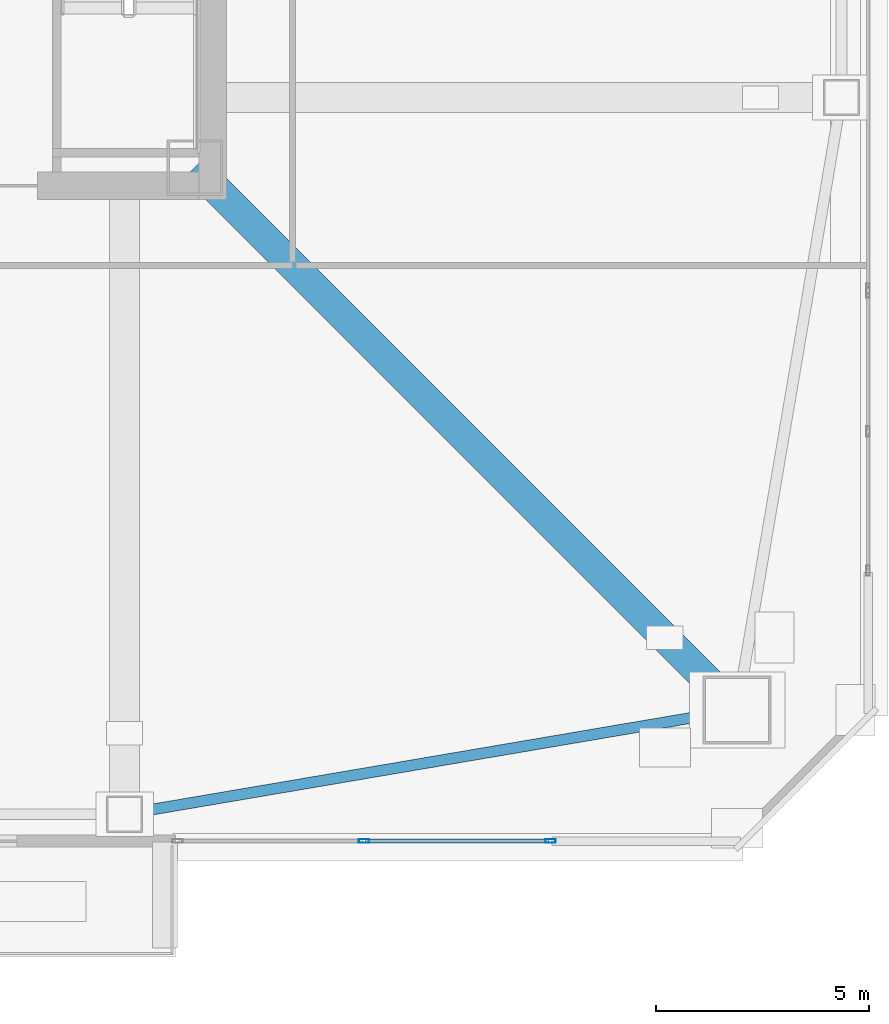
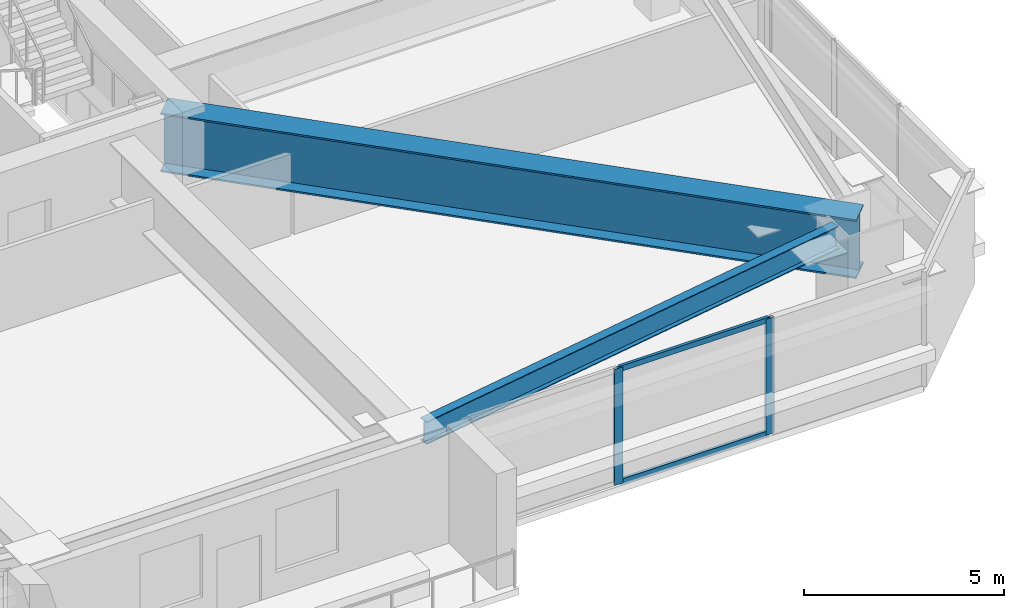
# One storey, part 9 of 48: 4 members, 2 beams, 1 element without a shape of its own.
"""IFC4 building model written with IfcOpenShell, lengths in metres."""

from ifc_helpers import new_model, si_unit, direction, frame, origin, origin_2d, place, context, subcontext, project, spatial, hollow_rectangle, i_section, extrude, material, material_profile, profile_set, type_object, element, aggregate, save


model = new_model("IFC4")

# Units and contexts
model_context = context("Model", 3, precision=1e-05, world=origin(), true_north=direction((0.0, 1.0)))
body_context = subcontext(model_context, "Body", "Model", "MODEL_VIEW")
ifc_project = project(units=[si_unit("LENGTHUNIT", "METRE"), si_unit("AREAUNIT", "SQUARE_METRE"), si_unit("VOLUMEUNIT", "CUBIC_METRE"), si_unit("PLANEANGLEUNIT", "RADIAN"), si_unit("MASSUNIT", "GRAM", prefix="KILO")], contexts=[model_context])

# Site, building, storey
site_placement = place(None, origin())
site = spatial("IfcSite", under=ifc_project, at=site_placement, CompositionType="ELEMENT")
building_placement = place(site_placement, origin())
building = spatial("IfcBuilding", under=site, at=building_placement, Name="Tashvorn Skyway Center", CompositionType="ELEMENT")
storey_placement = place(building_placement, frame((0.0, 0.0, 63.64990234375)))
storey = spatial("IfcBuildingStorey", under=building, at=storey_placement, Name="L16", CompositionType="ELEMENT", Elevation=63.64990234375)

# Beams
ifc_material_1 = material(Name="Steel ASTM A572 Grade 50", Category="steel")
ifc_material_profile_1 = material_profile(ifc_material_1, i_section(OverallWidth=0.699951171875, OverallDepth=1.800048828125, WebThickness=0.031982421875, FlangeThickness=0.050048828125, at=origin_2d()), Name="PG1800x700")
ifc_profile_set_1 = profile_set([ifc_material_profile_1], Name="Steel ASTM A572 Grade 50")
beam_type_1 = type_object("IfcBeamType", Name="BM-BEAM-PG1800x700", PredefinedType="BEAM", material=ifc_profile_set_1)
beam_1_placement = place(storey_placement, frame((61.800048828125, 12.199951171875, 2.4501953125), z_axis=(-0.707106781187, 0.707106781187, 0.0), x_axis=(-0.707106781187, -0.707106781187, 0.0)))
element("IfcBeam", 1, at=beam_1_placement, inside=storey, type_object=beam_type_1, Name="Tower 1 L16 Setback Transfer Girder MC-SE", PredefinedType="BEAM", context=body_context, shape_type="SweptSolid", body=[
    extrude(i_section(OverallWidth=0.699951171875, OverallDepth=1.800048828125, WebThickness=0.031982421875, FlangeThickness=0.050048828125, at=origin_2d()), origin(), (0.0, 0.0, 1.0), 18.03125),
])
ifc_material_2 = material(Name="Steel ASTM A992 Grade 50", Category="steel")
ifc_material_profile_2 = material_profile(ifc_material_2, i_section(OverallWidth=0.256103515625, OverallDepth=0.693115234375, WebThickness=0.014404296875, FlangeThickness=0.023681640625, at=origin_2d()), Name="W27X114")
ifc_profile_set_2 = profile_set([ifc_material_profile_2], Name="Steel ASTM A992 Grade 50")
beam_type_2 = type_object("IfcBeamType", Name="BM-SPANDREL-W27X114", PredefinedType="SPANDREL", material=ifc_profile_set_2)
beam_2_placement = place(storey_placement, frame((47.81396484375, 9.820556640625, 3.003662109375), z_axis=(0.985835025551, 0.16771792509, 0.0), x_axis=(-0.16771792509, 0.985835025551, 0.0)))
element("IfcBeam", 2, at=beam_2_placement, inside=storey, type_object=beam_type_2, Name="Tower 1 L16 Spandrel Beam 03", PredefinedType="SPANDREL", context=body_context, shape_type="SweptSolid", body=[
    extrude(i_section(OverallWidth=0.256103515625, OverallDepth=0.693115234375, WebThickness=0.014404296875, FlangeThickness=0.023681640625, at=origin_2d()), origin(), (0.0, 0.0, 1.0), 13.39208984375),
])

# Curtain wall, members
ifc_material_3 = material(Name="Thermally broken bronze-anodized aluminium 6063-T6", Category="aluminium")
curtain_wall_type = type_object("IfcCurtainWallType", Name="CW-CW-Z1", PredefinedType="NOTDEFINED", material=ifc_material_3)
curtain_wall_placement = place(storey_placement, origin())
curtain_wall = element("IfcCurtainWall", 3, at=curtain_wall_placement, inside=storey, type_object=curtain_wall_type, Name="Tower 1 L16 South Curtain Wall L Glazing Group 1", PredefinedType="NOTDEFINED")
ifc_material_profile_3 = material_profile(ifc_material_3, hollow_rectangle(XDim=0.0849609375, YDim=0.239990234375, WallThickness=0.0048828125, at=origin_2d()), Name="ALU-MULL-85x240")
ifc_profile_set_3 = profile_set([ifc_material_profile_3], Name="Thermally broken bronze-anodized aluminium 6063-T6")
member_type_1 = type_object("IfcMemberType", Name="CWM-CW-Z1", PredefinedType="MULLION", material=ifc_profile_set_3)
member_1_placement = place(storey_placement, frame((57.410888671875, 9.1201171875, 0.0), z_axis=(0.0, 0.0, 1.0), x_axis=(0.0, -1.0, 0.0)))
member_1 = element("IfcMember", 4, at=member_1_placement, type_object=member_type_1, Name="CW-Z1 mullion 1", PredefinedType="MULLION", context=body_context, shape_type="SweptSolid", body=[
    extrude(hollow_rectangle(XDim=0.0849609375, YDim=0.239990234375, WallThickness=0.0048828125, at=origin_2d()), origin(), (0.0, 0.0, 1.0), 3.550048828125),
])
member_2_placement = place(storey_placement, frame((53.026611328125, 9.1201171875, 0.0), z_axis=(0.0, 0.0, 1.0), x_axis=(0.0, -1.0, 0.0)))
member_2 = element("IfcMember", 5, at=member_2_placement, type_object=member_type_1, Name="CW-Z1 mullion 2", PredefinedType="MULLION", context=body_context, shape_type="SweptSolid", body=[
    extrude(hollow_rectangle(XDim=0.0849609375, YDim=0.239990234375, WallThickness=0.0048828125, at=origin_2d()), origin(), (0.0, 0.0, 1.0), 3.550048828125),
])
ifc_material_profile_4 = material_profile(ifc_material_3, hollow_rectangle(XDim=0.0849609375, YDim=0.1650390625, WallThickness=0.0048828125, at=origin_2d()), Name="ALU-TRAN-85x165")
ifc_profile_set_4 = profile_set([ifc_material_profile_4], Name="Thermally broken bronze-anodized aluminium 6063-T6")
member_type_2 = type_object("IfcMemberType", Name="CWT-CW-Z1", PredefinedType="USERDEFINED", material=ifc_profile_set_4)
member_3_placement = place(storey_placement, frame((57.368408203125, 9.1201171875, 0.04248046875), z_axis=(-1.0, 0.0, 0.0), x_axis=(0.0, -1.0, 0.0)))
member_3 = element("IfcMember", 6, at=member_3_placement, type_object=member_type_2, Name="CW-Z1 transom 1.1", ObjectType="TRANSOM", PredefinedType="USERDEFINED", context=body_context, shape_type="SweptSolid", body=[
    extrude(hollow_rectangle(XDim=0.0849609375, YDim=0.1650390625, WallThickness=0.0048828125, at=origin_2d()), origin(), (0.0, 0.0, 1.0), 4.29931640625),
])
member_4_placement = place(storey_placement, frame((57.368408203125, 9.1201171875, 3.507568359375), z_axis=(-1.0, 0.0, 0.0), x_axis=(0.0, -1.0, 0.0)))
member_4 = element("IfcMember", 7, at=member_4_placement, type_object=member_type_2, Name="CW-Z1 transom 1.2", ObjectType="TRANSOM", PredefinedType="USERDEFINED", context=body_context, shape_type="SweptSolid", body=[
    extrude(hollow_rectangle(XDim=0.0849609375, YDim=0.1650390625, WallThickness=0.0048828125, at=origin_2d()), origin(), (0.0, 0.0, 1.0), 4.29931640625),
])
aggregate(curtain_wall, [member_1, member_2, member_3, member_4])

save(model, "model.ifc")
